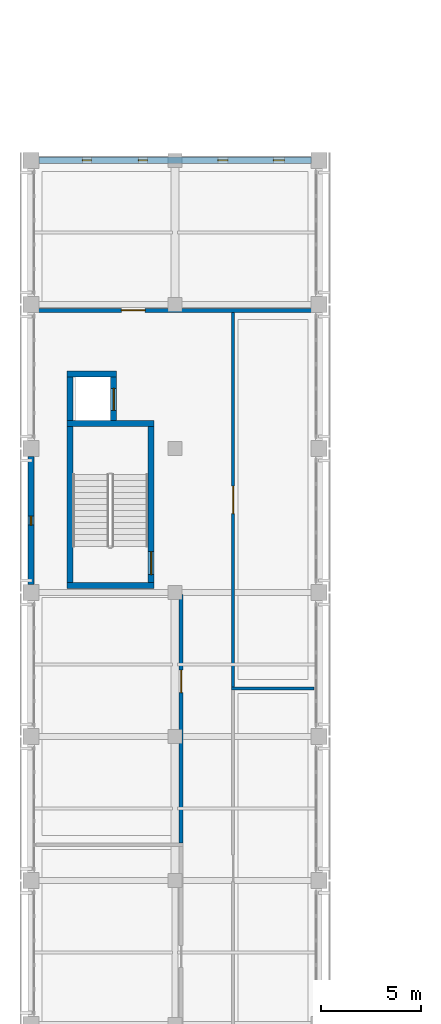
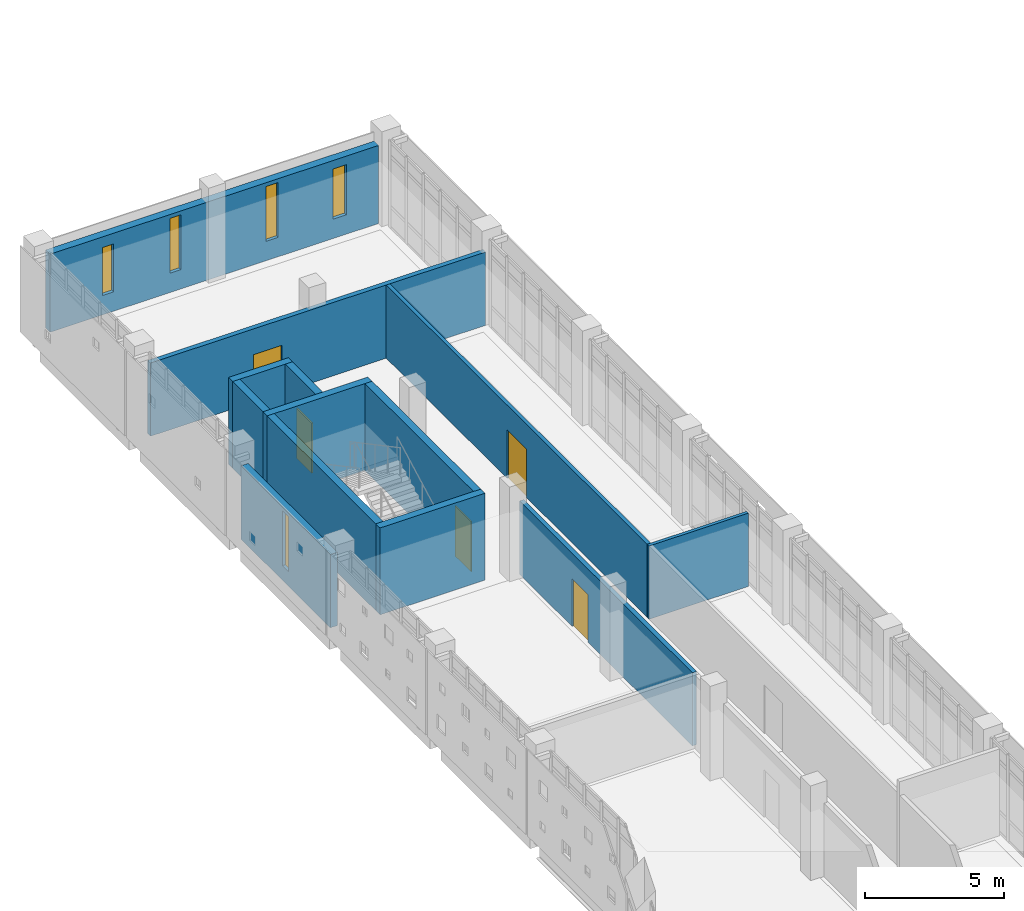
# One storey, part 24 of 33: 13 walls, 5 doors, 5 windows, 10 openings.
"""IFC4 building model written with IfcOpenShell, lengths in metres."""

from ifc_helpers import new_model, si_unit, direction, frame, frame_2d, origin, place, context, subcontext, project, spatial, rectangle, extrude, material, layer, layer_set, type_object, element, fill, save


model = new_model("IFC4")

# Units and contexts
model_context = context("Model", 3, precision=1e-05, world=origin(), true_north=direction((0.0, 1.0)))
body_context = subcontext(model_context, "Body", "Model", "MODEL_VIEW")
ifc_project = project(units=[si_unit("LENGTHUNIT", "METRE"), si_unit("AREAUNIT", "SQUARE_METRE"), si_unit("VOLUMEUNIT", "CUBIC_METRE"), si_unit("PLANEANGLEUNIT", "RADIAN"), si_unit("MASSUNIT", "GRAM", prefix="KILO")], contexts=[model_context])

# Site, building, storey
site_placement = place(None, origin())
site = spatial("IfcSite", under=ifc_project, at=site_placement, CompositionType="ELEMENT")
building_placement = place(site_placement, origin())
building = spatial("IfcBuilding", under=site, at=building_placement, Name="Valkovuoma Quantum and Materials Research Institute", CompositionType="ELEMENT")
storey_placement = place(building_placement, frame((0.0, 0.0, 25.60009765625)))
storey = spatial("IfcBuildingStorey", under=building, at=storey_placement, Name="L06", CompositionType="ELEMENT", Elevation=25.60009765625)

# Walls
ifc_material_1 = material(Name="Concrete C40/50", Category="concrete")
ifc_layer_1 = layer(ifc_material_1, 0.300048828125)
ifc_layer_set_1 = layer_set([ifc_layer_1], Name="Concrete C40/50")
wall_type_1 = type_object("IfcWallType", Name="Wall-W-COR300", PredefinedType="SHEAR", material=ifc_layer_set_1)
for number, where, z_axis, x_axis, name in (
    (1, (1.800048828125, 72.35009765625, 0.0), (0.0, 0.0, 1.0), (1.0, 0.0, 0.0), "L06 core wall 0171"),
    (2, (1.800048828125, 80.449951171875, 0.0), (0.0, 0.0, 1.0), (1.0, 0.0, 0.0), "L06 core wall 0172"),
):
    element("IfcWall", number, at=place(storey_placement, frame(where, z_axis=z_axis, x_axis=x_axis)), inside=storey, type_object=wall_type_1, Name=name, PredefinedType="SHEAR", context=body_context, shape_type="SweptSolid", body=[
        extrude(rectangle(XDim=4.349853515625, YDim=0.300048828125, at=frame_2d((2.1748046875, 0.0))), origin(), (0.0, 0.0, 1.0), 3.809814453125),
    ])
wall_1_placement = place(storey_placement, frame((1.949951171875, 72.5, 0.0), z_axis=(0.0, 0.0, 1.0), x_axis=(0.0, 1.0, 0.0)))
element("IfcWall", 3, at=wall_1_placement, inside=storey, type_object=wall_type_1, Name="L06 core wall 0173", PredefinedType="SHEAR", context=body_context, shape_type="SweptSolid", body=[
    extrude(rectangle(XDim=7.800048828125, YDim=0.300048828125, at=frame_2d((3.89990234375, 0.0))), origin(), (0.0, 0.0, 1.0), 3.809814453125),
])

# Wall, opening, door
wall_2_placement = place(storey_placement, frame((6.0, 72.5, 0.0), z_axis=(0.0, 0.0, 1.0), x_axis=(0.0, 1.0, 0.0)))
wall_2 = element("IfcWall", 4, at=wall_2_placement, inside=storey, type_object=wall_type_1, Name="L06 core wall 0174", PredefinedType="SHEAR", context=body_context, shape_type="SweptSolid", body=[
    extrude(rectangle(XDim=7.800048828125, YDim=0.300048828125, at=frame_2d((3.89990234375, 0.0))), origin(), (0.0, 0.0, 1.0), 3.809814453125),
])
opening_1_placement = place(wall_2_placement, frame((0.39990234375, 0.0, 0.0)))
opening_1 = element("IfcOpeningElement", 5, at=opening_1_placement, cuts=wall_2, Name="Opening SD-030", PredefinedType="OPENING", context=body_context, shape_type="SweptSolid", body=[
    extrude(rectangle(XDim=1.14990234375, YDim=2.199951171875, at=frame_2d((0.574951171875, 1.10009765625))), frame((0.0, 0.16015625, 0.0), z_axis=(0.0, -1.0, 0.0), x_axis=(1.0, 0.0, 0.0)), (0.0, 0.0, 1.0), 0.320068359375),
])
ifc_material_2 = material(Name="Powder-coated steel and acoustic timber door assembly", Category="steel")
door_type_1 = type_object("IfcDoorType", Name="Door-DR-ST60", OperationType="NOTDEFINED", PredefinedType="DOOR", material=ifc_material_2)
door_1_placement = place(opening_1_placement, origin())
door_1 = element("IfcDoor", 6, at=door_1_placement, inside=storey, type_object=door_type_1, Name="L06 ST-2 fire door", OperationType="SINGLE_SWING_LEFT", OverallHeight=2.199951171875, OverallWidth=1.14990234375, PredefinedType="DOOR", context=body_context, shape_type="SweptSolid", body=[
    extrude(rectangle(XDim=1.14990234375, YDim=2.199951171875, at=frame_2d((0.574951171875, 1.10009765625))), frame((0.0, 0.02490234375, 0.0), z_axis=(0.0, -1.0, 0.0), x_axis=(1.0, 0.0, 0.0)), (0.0, 0.0, 1.0), 0.050048828125),
])
fill(opening_1, door_1)

# Walls
wall_3_placement = place(storey_placement, frame((1.800048828125, 82.929931640625, 0.0), z_axis=(0.0, 0.0, 1.0), x_axis=(1.0, 0.0, 0.0)))
element("IfcWall", 7, at=wall_3_placement, inside=storey, type_object=wall_type_1, Name="L06 core wall 0175", PredefinedType="SHEAR", context=body_context, shape_type="SweptSolid", body=[
    extrude(rectangle(XDim=2.47998046875, YDim=0.300048828125, at=frame_2d((1.239990234375, 0.0))), origin(), (0.0, 0.0, 1.0), 3.809814453125),
])
wall_4_placement = place(storey_placement, frame((1.949951171875, 80.60009765625, 0.0), z_axis=(0.0, 0.0, 1.0), x_axis=(0.0, 1.0, 0.0)))
element("IfcWall", 8, at=wall_4_placement, inside=storey, type_object=wall_type_1, Name="L06 core wall 0176", PredefinedType="SHEAR", context=body_context, shape_type="SweptSolid", body=[
    extrude(rectangle(XDim=2.179931640625, YDim=0.300048828125, at=frame_2d((1.08984375, 0.0))), origin(), (0.0, 0.0, 1.0), 3.809814453125),
])

# Wall, opening, door
wall_5_placement = place(storey_placement, frame((4.1298828125, 80.60009765625, 0.0), z_axis=(0.0, 0.0, 1.0), x_axis=(0.0, 1.0, 0.0)))
wall_5 = element("IfcWall", 9, at=wall_5_placement, inside=storey, type_object=wall_type_1, Name="L06 core wall 0177", PredefinedType="SHEAR", context=body_context, shape_type="SweptSolid", body=[
    extrude(rectangle(XDim=2.179931640625, YDim=0.300048828125, at=frame_2d((1.08984375, 0.0))), origin(), (0.0, 0.0, 1.0), 3.809814453125),
])
opening_2_placement = place(wall_5_placement, frame((0.5, 0.0, 0.0)))
opening_2 = element("IfcOpeningElement", 10, at=opening_2_placement, cuts=wall_5, Name="Opening LD-030", PredefinedType="OPENING", context=body_context, shape_type="SweptSolid", body=[
    extrude(rectangle(XDim=1.10009765625, YDim=2.199951171875, at=frame_2d((0.550048828125, 1.10009765625))), frame((0.0, 0.16015625, 0.0), z_axis=(0.0, -1.0, 0.0), x_axis=(1.0, 0.0, 0.0)), (0.0, 0.0, 1.0), 0.320068359375),
])
ifc_material_3 = material(Name="Powder-coated steel and acoustic timber door assembly", Category="steel")
door_type_2 = type_object("IfcDoorType", Name="Door-DR-LD01", OperationType="NOTDEFINED", PredefinedType="DOOR", material=ifc_material_3)
door_2_placement = place(opening_2_placement, origin())
door_2 = element("IfcDoor", 11, at=door_2_placement, inside=storey, type_object=door_type_2, Name="L06 LIFT-P2 sliding landing door", OperationType="SLIDING_TO_LEFT", OverallHeight=2.199951171875, OverallWidth=1.10009765625, PredefinedType="DOOR", context=body_context, shape_type="SweptSolid", body=[
    extrude(rectangle(XDim=1.10009765625, YDim=2.199951171875, at=frame_2d((0.550048828125, 1.10009765625))), frame((0.0, 0.02490234375, 0.0), z_axis=(0.0, -1.0, 0.0), x_axis=(1.0, 0.0, 0.0)), (0.0, 0.0, 1.0), 0.050048828125),
])
fill(opening_2, door_2)

# Wall, opening, window
ifc_material_4 = material(Name="Precast concrete C40/50", Category="concrete")
ifc_layer_2 = layer(ifc_material_4, 0.300048828125)
ifc_layer_set_2 = layer_set([ifc_layer_2], Name="Precast concrete C40/50")
wall_type_2 = type_object("IfcWallType", Name="Wall-W-EXT300", PredefinedType="SOLIDWALL", material=ifc_layer_set_2)
wall_6_placement = place(storey_placement, frame((0.0, 72.389892578125, 0.0), z_axis=(0.0, 0.0, 1.0), x_axis=(0.0, 1.0, 0.0)))
wall_6 = element("IfcWall", 12, at=wall_6_placement, inside=storey, type_object=wall_type_2, Name="L06 exterior wall 0056", PredefinedType="SOLIDWALL", context=body_context, shape_type="SweptSolid", body=[
    extrude(rectangle(XDim=6.420166015625, YDim=0.300048828125, at=frame_2d((3.2099609375, 0.0))), origin(), (0.0, 0.0, 1.0), 3.2099609375),
])
opening_3_placement = place(wall_6_placement, frame((2.985107421875, 0.0, 0.64990234375)))
opening_3 = element("IfcOpeningElement", 13, at=opening_3_placement, cuts=wall_6, Name="Opening WN-SL01", PredefinedType="OPENING", context=body_context, shape_type="SweptSolid", body=[
    extrude(rectangle(XDim=0.449951171875, YDim=2.39990234375, at=frame_2d((0.22509765625, 1.199951171875))), frame((0.0, 0.16015625, 0.0), z_axis=(0.0, -1.0, 0.0), x_axis=(1.0, 0.0, 0.0)), (0.0, 0.0, 1.0), 0.320068359375),
])
ifc_material_5 = material(Name="Triple low-E argon glazing in thermally broken aluminium frame", Category="aluminium")
window_type_1 = type_object("IfcWindowType", Name="Win-WN-SL01", PartitioningType="SINGLE_PANEL", PredefinedType="WINDOW", material=ifc_material_5)
window_1_placement = place(opening_3_placement, origin())
window_1 = element("IfcWindow", 14, at=window_1_placement, inside=storey, type_object=window_type_1, Name="L06 window 0050", OverallHeight=2.39990234375, OverallWidth=0.449951171875, PartitioningType="SINGLE_PANEL", PredefinedType="WINDOW", context=body_context, shape_type="SweptSolid", body=[
    extrude(rectangle(XDim=0.449951171875, YDim=2.39990234375, at=frame_2d((0.22509765625, 1.199951171875))), frame((0.0, 0.030029296875, 0.0), z_axis=(0.0, -1.0, 0.0), x_axis=(1.0, 0.0, 0.0)), (0.0, 0.0, 1.0), 0.06005859375),
])
fill(opening_3, window_1)

# Wall, openings, windows
ifc_material_6 = material(Name="Precast concrete C40/50", Category="concrete")
ifc_layer_3 = layer(ifc_material_6, 0.320068359375)
ifc_layer_set_3 = layer_set([ifc_layer_3], Name="Precast concrete C40/50")
wall_type_3 = type_object("IfcWallType", Name="Wall-W-EXT320", PredefinedType="SOLIDWALL", material=ifc_layer_set_3)
wall_7_placement = place(storey_placement, frame((0.389892578125, 93.60009765625, 0.0), z_axis=(0.0, 0.0, 1.0), x_axis=(1.0, 0.0, 0.0)))
wall_7 = element("IfcWall", 15, at=wall_7_placement, inside=storey, type_object=wall_type_3, Name="L06 exterior wall 0054", PredefinedType="SOLIDWALL", context=body_context, shape_type="SweptSolid", body=[
    extrude(rectangle(XDim=13.6201171875, YDim=0.320068359375, at=frame_2d((6.81005859375, 0.0))), origin(), (0.0, 0.0, 1.0), 3.419921875),
])
opening_4_placement = place(wall_7_placement, frame((2.175048828125, 0.0, 0.85009765625)))
opening_4 = element("IfcOpeningElement", 16, at=opening_4_placement, cuts=wall_7, Name="Opening WN-SL04", PredefinedType="OPENING", context=body_context, shape_type="SweptSolid", body=[
    extrude(rectangle(XDim=0.449951171875, YDim=2.10009765625, at=frame_2d((0.22509765625, 1.050048828125))), frame((0.0, 0.169921875, 0.0), z_axis=(0.0, -1.0, 0.0), x_axis=(1.0, 0.0, 0.0)), (0.0, 0.0, 1.0), 0.340087890625),
])
opening_5_placement = place(wall_7_placement, frame((4.97509765625, 0.0, 0.85009765625)))
opening_5 = element("IfcOpeningElement", 17, at=opening_5_placement, cuts=wall_7, Name="Opening WN-SL01", PredefinedType="OPENING", context=body_context, shape_type="SweptSolid", body=[
    extrude(rectangle(XDim=0.449951171875, YDim=2.39990234375, at=frame_2d((0.22509765625, 1.199951171875))), frame((0.0, 0.169921875, 0.0), z_axis=(0.0, -1.0, 0.0), x_axis=(1.0, 0.0, 0.0)), (0.0, 0.0, 1.0), 0.340087890625),
])
opening_6_placement = place(wall_7_placement, frame((8.949951171875, 0.0, 0.85009765625)))
opening_6 = element("IfcOpeningElement", 18, at=opening_6_placement, cuts=wall_7, Name="Opening WN-SL02", PredefinedType="OPENING", context=body_context, shape_type="SweptSolid", body=[
    extrude(rectangle(XDim=0.5, YDim=2.39990234375, at=frame_2d((0.25, 1.199951171875))), frame((0.0, 0.169921875, 0.0), z_axis=(0.0, -1.0, 0.0), x_axis=(1.0, 0.0, 0.0)), (0.0, 0.0, 1.0), 0.340087890625),
])
opening_7_placement = place(wall_7_placement, frame((11.72509765625, 0.0, 0.85009765625)))
opening_7 = element("IfcOpeningElement", 19, at=opening_7_placement, cuts=wall_7, Name="Opening WN-SL03", PredefinedType="OPENING", context=body_context, shape_type="SweptSolid", body=[
    extrude(rectangle(XDim=0.550048828125, YDim=2.199951171875, at=frame_2d((0.27490234375, 1.10009765625))), frame((0.0, 0.169921875, 0.0), z_axis=(0.0, -1.0, 0.0), x_axis=(1.0, 0.0, 0.0)), (0.0, 0.0, 1.0), 0.340087890625),
])
window_2_placement = place(opening_5_placement, origin())
window_2 = element("IfcWindow", 20, at=window_2_placement, inside=storey, type_object=window_type_1, Name="L06 window 0047", OverallHeight=2.39990234375, OverallWidth=0.449951171875, PartitioningType="SINGLE_PANEL", PredefinedType="WINDOW", context=body_context, shape_type="SweptSolid", body=[
    extrude(rectangle(XDim=0.449951171875, YDim=2.39990234375, at=frame_2d((0.22509765625, 1.199951171875))), frame((0.0, 0.030029296875, 0.0), z_axis=(0.0, -1.0, 0.0), x_axis=(1.0, 0.0, 0.0)), (0.0, 0.0, 1.0), 0.06005859375),
])
fill(opening_5, window_2)
ifc_material_7 = material(Name="Triple low-E argon glazing in thermally broken aluminium frame", Category="aluminium")
window_type_2 = type_object("IfcWindowType", Name="Win-WN-SL02", PartitioningType="SINGLE_PANEL", PredefinedType="WINDOW", material=ifc_material_7)
window_3_placement = place(opening_6_placement, origin())
window_3 = element("IfcWindow", 21, at=window_3_placement, inside=storey, type_object=window_type_2, Name="L06 window 0048", OverallHeight=2.39990234375, OverallWidth=0.5, PartitioningType="SINGLE_PANEL", PredefinedType="WINDOW", context=body_context, shape_type="SweptSolid", body=[
    extrude(rectangle(XDim=0.5, YDim=2.39990234375, at=frame_2d((0.25, 1.199951171875))), frame((0.0, 0.030029296875, 0.0), z_axis=(0.0, -1.0, 0.0), x_axis=(1.0, 0.0, 0.0)), (0.0, 0.0, 1.0), 0.06005859375),
])
fill(opening_6, window_3)
ifc_material_8 = material(Name="Triple low-E argon glazing in thermally broken aluminium frame", Category="aluminium")
window_type_3 = type_object("IfcWindowType", Name="Win-WN-SL03", PartitioningType="SINGLE_PANEL", PredefinedType="WINDOW", material=ifc_material_8)
window_4_placement = place(opening_7_placement, origin())
window_4 = element("IfcWindow", 22, at=window_4_placement, inside=storey, type_object=window_type_3, Name="L06 window 0049", OverallHeight=2.199951171875, OverallWidth=0.550048828125, PartitioningType="SINGLE_PANEL", PredefinedType="WINDOW", context=body_context, shape_type="SweptSolid", body=[
    extrude(rectangle(XDim=0.550048828125, YDim=2.199951171875, at=frame_2d((0.27490234375, 1.10009765625))), frame((0.0, 0.030029296875, 0.0), z_axis=(0.0, -1.0, 0.0), x_axis=(1.0, 0.0, 0.0)), (0.0, 0.0, 1.0), 0.06005859375),
])
fill(opening_7, window_4)
ifc_material_9 = material(Name="Triple low-E argon glazing in thermally broken aluminium frame", Category="aluminium")
window_type_4 = type_object("IfcWindowType", Name="Win-WN-SL04", PartitioningType="SINGLE_PANEL", PredefinedType="WINDOW", material=ifc_material_9)
window_5_placement = place(opening_4_placement, origin())
window_5 = element("IfcWindow", 23, at=window_5_placement, inside=storey, type_object=window_type_4, Name="L06 window 0046", OverallHeight=2.10009765625, OverallWidth=0.449951171875, PartitioningType="SINGLE_PANEL", PredefinedType="WINDOW", context=body_context, shape_type="SweptSolid", body=[
    extrude(rectangle(XDim=0.449951171875, YDim=2.10009765625, at=frame_2d((0.22509765625, 1.050048828125))), frame((0.0, 0.030029296875, 0.0), z_axis=(0.0, -1.0, 0.0), x_axis=(1.0, 0.0, 0.0)), (0.0, 0.0, 1.0), 0.06005859375),
])
fill(opening_4, window_5)

# Wall
ifc_material_10 = material(Name="Interior office stud partition", Category="masonry")
ifc_layer_4 = layer(ifc_material_10, 0.135009765625)
ifc_layer_set_4 = layer_set([ifc_layer_4], Name="Interior office stud partition")
wall_type_4 = type_object("IfcWallType", Name="Wall-W-PRT135", PredefinedType="PARTITIONING", material=ifc_layer_set_4)
wall_8_placement = place(storey_placement, frame((10.032470703125, 67.199951171875, 0.0), z_axis=(0.0, 0.0, 1.0), x_axis=(1.0, 0.0, 0.0)))
element("IfcWall", 24, at=wall_8_placement, inside=storey, type_object=wall_type_4, Name="L06 partition 0237", PredefinedType="PARTITIONING", context=body_context, shape_type="SweptSolid", body=[
    extrude(rectangle(XDim=4.117431640625, YDim=0.135009765625, at=frame_2d((2.05859375, 0.0))), origin(), (0.0, 0.0, 1.0), 3.2099609375),
])

# Wall, opening, door
ifc_material_11 = material(Name="Acoustic write-up studio partition", Category="masonry")
ifc_layer_5 = layer(ifc_material_11, 0.14990234375)
ifc_layer_set_5 = layer_set([ifc_layer_5], Name="Acoustic write-up studio partition")
wall_type_5 = type_object("IfcWallType", Name="Wall-W-PRT150", PredefinedType="PARTITIONING", material=ifc_layer_set_5)
wall_9_placement = place(storey_placement, frame((10.10009765625, 67.267578125, 0.0), z_axis=(0.0, 0.0, 1.0), x_axis=(0.0, 1.0, 0.0)))
wall_9 = element("IfcWall", 25, at=wall_9_placement, inside=storey, type_object=wall_type_5, Name="L06 partition 0239", PredefinedType="PARTITIONING", context=body_context, shape_type="SweptSolid", body=[
    extrude(rectangle(XDim=18.732421875, YDim=0.14990234375, at=frame_2d((9.3662109375, 0.0))), origin(), (0.0, 0.0, 1.0), 3.2099609375),
])
opening_8_placement = place(wall_9_placement, frame((8.67626953125, 0.0, 0.0)))
opening_8 = element("IfcOpeningElement", 26, at=opening_8_placement, cuts=wall_9, Name="Opening ID-0170", PredefinedType="OPENING", context=body_context, shape_type="SweptSolid", body=[
    extrude(rectangle(XDim=1.3798828125, YDim=2.1201171875, at=frame_2d((0.68994140625, 1.06005859375))), frame((0.0, 0.0849609375, 0.0), z_axis=(0.0, -1.0, 0.0), x_axis=(1.0, 0.0, 0.0)), (0.0, 0.0, 1.0), 0.169921875),
])
ifc_material_12 = material(Name="Powder-coated steel and acoustic timber door assembly", Category="steel")
door_type_3 = type_object("IfcDoorType", Name="Door-DR-RM10", OperationType="NOTDEFINED", PredefinedType="DOOR", material=ifc_material_12)
door_3_placement = place(opening_8_placement, origin())
door_3 = element("IfcDoor", 27, at=door_3_placement, inside=storey, type_object=door_type_3, Name="L06 room door 0170", OperationType="SINGLE_SWING_LEFT", OverallHeight=2.1201171875, OverallWidth=1.3798828125, PredefinedType="DOOR", context=body_context, shape_type="SweptSolid", body=[
    extrude(rectangle(XDim=1.3798828125, YDim=2.1201171875, at=frame_2d((0.68994140625, 1.06005859375))), frame((0.0, 0.02490234375, 0.0), z_axis=(0.0, -1.0, 0.0), x_axis=(1.0, 0.0, 0.0)), (0.0, 0.0, 1.0), 0.050048828125),
])
fill(opening_8, door_3)

ifc_material_13 = material(Name="Laboratory fire-rated gypsum partition", Category="masonry")
ifc_layer_6 = layer(ifc_material_13, 0.179931640625)
ifc_layer_set_6 = layer_set([ifc_layer_6], Name="Laboratory fire-rated gypsum partition")
wall_type_6 = type_object("IfcWallType", Name="Wall-W-PRT180", PredefinedType="PARTITIONING", material=ifc_layer_set_6)
wall_10_placement = place(storey_placement, frame((7.5, 59.489990234375, 0.0), z_axis=(0.0, 0.0, 1.0), x_axis=(0.0, 1.0, 0.0)))
wall_10 = element("IfcWall", 28, at=wall_10_placement, inside=storey, type_object=wall_type_6, Name="L06 partition 0231", PredefinedType="PARTITIONING", context=body_context, shape_type="SweptSolid", body=[
    extrude(rectangle(XDim=12.419921875, YDim=0.179931640625, at=frame_2d((6.2099609375, 0.0))), origin(), (0.0, 0.0, 1.0), 3.2099609375),
])
opening_9_placement = place(wall_10_placement, frame((7.508056640625, 0.0, 0.0)))
opening_9 = element("IfcOpeningElement", 29, at=opening_9_placement, cuts=wall_10, Name="Opening ID-0165", PredefinedType="OPENING", context=body_context, shape_type="SweptSolid", body=[
    extrude(rectangle(XDim=1.1298828125, YDim=2.080078125, at=frame_2d((0.56494140625, 1.0400390625))), frame((0.0, 0.10009765625, 0.0), z_axis=(0.0, -1.0, 0.0), x_axis=(1.0, 0.0, 0.0)), (0.0, 0.0, 1.0), 0.199951171875),
])
ifc_material_14 = material(Name="Powder-coated steel and acoustic timber door assembly", Category="steel")
door_type_4 = type_object("IfcDoorType", Name="Door-DR-RM05", OperationType="NOTDEFINED", PredefinedType="DOOR", material=ifc_material_14)
door_4_placement = place(opening_9_placement, origin())
door_4 = element("IfcDoor", 30, at=door_4_placement, inside=storey, type_object=door_type_4, Name="L06 room door 0165", OperationType="SINGLE_SWING_RIGHT", OverallHeight=2.080078125, OverallWidth=1.1298828125, PredefinedType="DOOR", context=body_context, shape_type="SweptSolid", body=[
    extrude(rectangle(XDim=1.1298828125, YDim=2.080078125, at=frame_2d((0.56494140625, 1.0400390625))), frame((0.0, 0.02490234375, 0.0), z_axis=(0.0, -1.0, 0.0), x_axis=(1.0, 0.0, 0.0)), (0.0, 0.0, 1.0), 0.050048828125),
])
fill(opening_9, door_4)

ifc_material_15 = material(Name="Acoustic double-stud gypsum and mineral wool partition", Category="masonry")
ifc_layer_7 = layer(ifc_material_15, 0.199951171875)
ifc_layer_set_7 = layer_set([ifc_layer_7], Name="Acoustic double-stud gypsum and mineral wool partition")
wall_type_7 = type_object("IfcWallType", Name="Wall-W-PRT200", PredefinedType="PARTITIONING", material=ifc_layer_set_7)
wall_11_placement = place(storey_placement, frame((0.25, 86.10009765625, 0.0), z_axis=(0.0, 0.0, 1.0), x_axis=(1.0, 0.0, 0.0)))
wall_11 = element("IfcWall", 31, at=wall_11_placement, inside=storey, type_object=wall_type_7, Name="L06 partition 0232", PredefinedType="PARTITIONING", context=body_context, shape_type="SweptSolid", body=[
    extrude(rectangle(XDim=13.89990234375, YDim=0.199951171875, at=frame_2d((6.949951171875, 0.0))), origin(), (0.0, 0.0, 1.0), 3.2099609375),
])
opening_10_placement = place(wall_11_placement, frame((4.27490234375, 0.0, 0.0)))
opening_10 = element("IfcOpeningElement", 32, at=opening_10_placement, cuts=wall_11, Name="Opening ID-0166", PredefinedType="OPENING", context=body_context, shape_type="SweptSolid", body=[
    extrude(rectangle(XDim=1.179931640625, YDim=2.080078125, at=frame_2d((0.58984375, 1.0400390625))), frame((0.0, 0.10986328125, 0.0), z_axis=(0.0, -1.0, 0.0), x_axis=(1.0, 0.0, 0.0)), (0.0, 0.0, 1.0), 0.219970703125),
])
ifc_material_16 = material(Name="Powder-coated steel and acoustic timber door assembly", Category="steel")
door_type_5 = type_object("IfcDoorType", Name="Door-DR-RM06", OperationType="NOTDEFINED", PredefinedType="DOOR", material=ifc_material_16)
door_5_placement = place(opening_10_placement, origin())
door_5 = element("IfcDoor", 33, at=door_5_placement, inside=storey, type_object=door_type_5, Name="L06 room door 0166", OperationType="SINGLE_SWING_LEFT", OverallHeight=2.080078125, OverallWidth=1.179931640625, PredefinedType="DOOR", context=body_context, shape_type="SweptSolid", body=[
    extrude(rectangle(XDim=1.179931640625, YDim=2.080078125, at=frame_2d((0.58984375, 1.0400390625))), frame((0.0, 0.02490234375, 0.0), z_axis=(0.0, -1.0, 0.0), x_axis=(1.0, 0.0, 0.0)), (0.0, 0.0, 1.0), 0.050048828125),
])
fill(opening_10, door_5)

save(model, "model.ifc")
